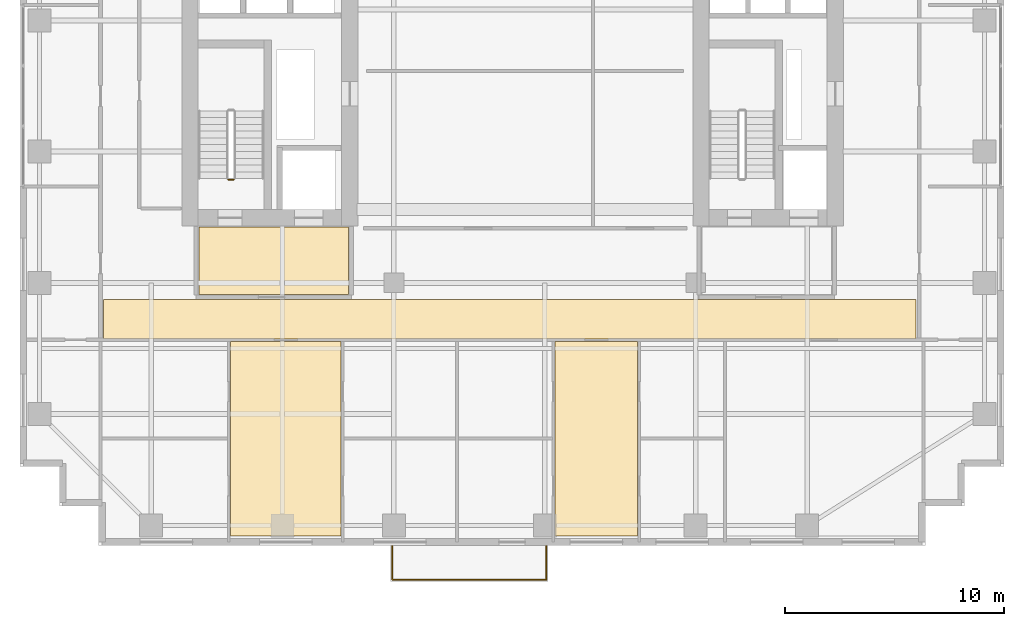
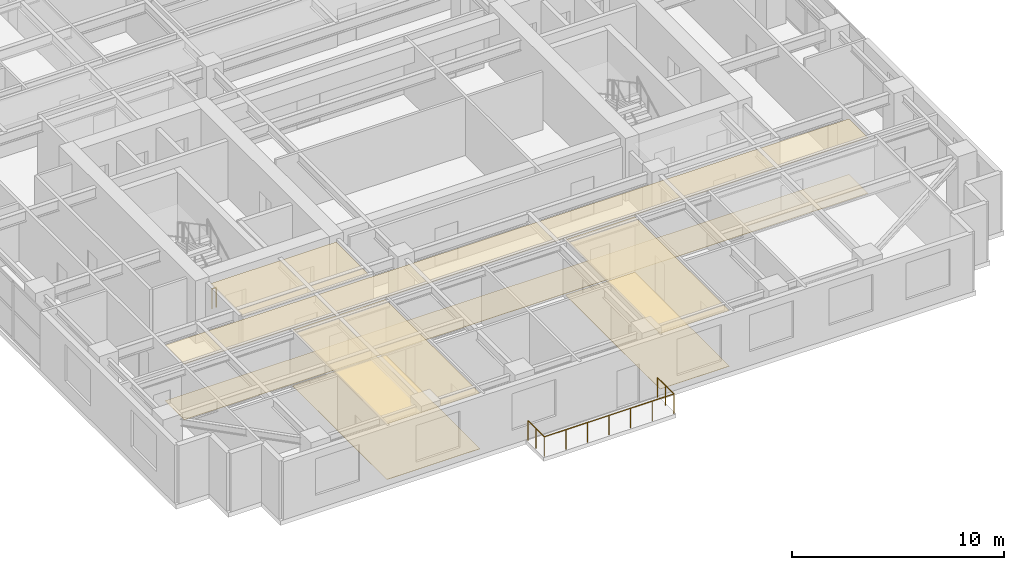
# One storey, part 13 of 16: 7 coverings, 2 railings.
"""IFC4 building model written with IfcOpenShell, lengths in metres."""

from ifc_helpers import new_model, si_unit, direction, frame, origin, origin_2d, place, context, subcontext, project, spatial, polyline, circle, outline, extrude, material, layer, layer_set, type_object, element, save


model = new_model("IFC4")

# Units and contexts
model_context = context("Model", 3, precision=1e-05, world=origin(), true_north=direction((0.0, 1.0)))
body_context = subcontext(model_context, "Body", "Model", "MODEL_VIEW")
ifc_project = project(units=[si_unit("LENGTHUNIT", "METRE"), si_unit("AREAUNIT", "SQUARE_METRE"), si_unit("VOLUMEUNIT", "CUBIC_METRE"), si_unit("PLANEANGLEUNIT", "RADIAN"), si_unit("MASSUNIT", "GRAM", prefix="KILO")], contexts=[model_context])

# Site, building, storey
site_placement = place(None, origin())
site = spatial("IfcSite", under=ifc_project, at=site_placement, CompositionType="ELEMENT")
building_placement = place(site_placement, origin())
building = spatial("IfcBuilding", under=site, at=building_placement, Name="Khoralis Quay Care Tower", CompositionType="ELEMENT")
storey_placement = place(building_placement, frame((0.0, 0.0, 137.699951171875)))
storey = spatial("IfcBuildingStorey", under=building, at=storey_placement, Name="L36", CompositionType="ELEMENT", Elevation=137.699951171875)

# Coverings
ifc_material_1 = material(Name="Mineral-fibre acoustic ceiling tile")
ifc_layer_1 = layer(ifc_material_1, 0.01806640625)
ifc_layer_set_1 = layer_set([ifc_layer_1], Name="Mineral-fibre acoustic ceiling tile")
covering_type_1 = type_object("IfcCoveringType", Name="COV-CEIL-AC18", PredefinedType="CEILING", material=ifc_layer_set_1)
covering_1_placement = place(storey_placement, frame((0.0, 0.0, 3.192138671875)))
element("IfcCovering", 1, at=covering_1_placement, inside=storey, type_object=covering_type_1, Name="Suspended Acoustic Ceiling SP-L36-FFLOB-W", PredefinedType="CEILING", context=body_context, shape_type="SweptSolid", body=[
    extrude(outline(polyline([(8.179931640625, 11.47998046875), (15.02001953125, 11.47998046875), (15.02001953125, 14.550048828125), (8.179931640625, 14.550048828125), (8.179931640625, 11.47998046875)])), origin(), (0.0, 0.0, 1.0), 0.017822265625),
])
covering_2_placement = place(storey_placement, frame((0.0, 0.0, 3.192138671875)))
element("IfcCovering", 2, at=covering_2_placement, inside=storey, type_object=covering_type_1, Name="Suspended Acoustic Ceiling SP-L36-CORR-S", PredefinedType="CEILING", context=body_context, shape_type="SweptSolid", body=[
    extrude(outline(polyline([(3.820068359375, 9.43994140625), (40.97998046875, 9.43994140625), (40.97998046875, 11.239990234375), (3.820068359375, 11.239990234375), (3.820068359375, 9.43994140625)])), origin(), (0.0, 0.0, 1.0), 0.017822265625),
])
covering_3_placement = place(storey_placement, frame((0.0, 0.0, 3.192138671875)))
element("IfcCovering", 3, at=covering_3_placement, inside=storey, type_object=covering_type_1, Name="Suspended Acoustic Ceiling SP-L36-SB-F2LIV0", PredefinedType="CEILING", context=body_context, shape_type="SweptSolid", body=[
    extrude(outline(polyline([(9.6279296875, 0.419921875), (14.68408203125, 0.419921875), (14.68408203125, 9.320068359375), (9.6279296875, 9.320068359375), (9.6279296875, 0.419921875)])), origin(), (0.0, 0.0, 1.0), 0.017822265625),
])
covering_4_placement = place(storey_placement, frame((0.0, 0.0, 3.192138671875)))
element("IfcCovering", 4, at=covering_4_placement, inside=storey, type_object=covering_type_1, Name="Suspended Acoustic Ceiling SP-L36-SB-F2LIV1", PredefinedType="CEILING", context=body_context, shape_type="SweptSolid", body=[
    extrude(outline(polyline([(24.47412109375, 0.419921875), (28.237060546875, 0.419921875), (28.237060546875, 9.320068359375), (24.47412109375, 9.320068359375), (24.47412109375, 0.419921875)])), origin(), (0.0, 0.0, 1.0), 0.017822265625),
])
ifc_material_2 = material(Name="Porcelain and non-slip vinyl flooring")
ifc_layer_2 = layer(ifc_material_2, 0.02001953125)
ifc_layer_set_2 = layer_set([ifc_layer_2], Name="Porcelain and non-slip vinyl flooring")
covering_type_2 = type_object("IfcCoveringType", Name="COV-FLOOR-20", PredefinedType="FLOORING", material=ifc_layer_set_2)
covering_5_placement = place(storey_placement, origin())
element("IfcCovering", 5, at=covering_5_placement, inside=storey, type_object=covering_type_2, Name="Resilient Healthcare Flooring SP-L36-CORR-S", PredefinedType="FLOORING", context=body_context, shape_type="SweptSolid", body=[
    extrude(outline(polyline([(3.820068359375, 9.43994140625), (40.97998046875, 9.43994140625), (40.97998046875, 11.239990234375), (3.820068359375, 11.239990234375), (3.820068359375, 9.43994140625)])), origin(), (0.0, 0.0, 1.0), 0.02001953125),
])
covering_6_placement = place(storey_placement, origin())
element("IfcCovering", 6, at=covering_6_placement, inside=storey, type_object=covering_type_2, Name="Resilient Healthcare Flooring SP-L36-SB-F2LIV0", PredefinedType="FLOORING", context=body_context, shape_type="SweptSolid", body=[
    extrude(outline(polyline([(9.6279296875, 0.419921875), (14.68408203125, 0.419921875), (14.68408203125, 9.320068359375), (9.6279296875, 9.320068359375), (9.6279296875, 0.419921875)])), origin(), (0.0, 0.0, 1.0), 0.02001953125),
])
covering_7_placement = place(storey_placement, origin())
element("IfcCovering", 7, at=covering_7_placement, inside=storey, type_object=covering_type_2, Name="Resilient Healthcare Flooring SP-L36-SB-F2LIV1", PredefinedType="FLOORING", context=body_context, shape_type="SweptSolid", body=[
    extrude(outline(polyline([(24.47412109375, 0.419921875), (28.237060546875, 0.419921875), (28.237060546875, 9.320068359375), (24.47412109375, 9.320068359375), (24.47412109375, 0.419921875)])), origin(), (0.0, 0.0, 1.0), 0.02001953125),
])

# Railings
ifc_material_3 = material(Name="Pale anodised aluminium", Category="aluminium")
railing_type_1 = type_object("IfcRailingType", Name="RL-BALUST-1150", PredefinedType="BALUSTRADE", material=ifc_material_3)
railing_1_placement = place(storey_placement, frame((17.030029296875, -0.0400390625, -0.0400390625)))
element("IfcRailing", 8, at=railing_1_placement, inside=storey, type_object=railing_type_1, Name="L36 Senior Loggia Balcony Guard", PredefinedType="BALUSTRADE", context=body_context, shape_type="SweptSolid", body=[
    extrude(circle(Radius=0.02392578125, at=origin_2d()), frame((0.0, 0.0, 1.1259765625), z_axis=(0.0, -1.0, 0.0), x_axis=(1.0, 0.0, 0.0)), (0.0, 0.0, 1.0), 1.530029296875),
    extrude(circle(Radius=0.02392578125, at=origin_2d()), frame((0.0, -1.530029296875, 1.1259765625), z_axis=(1.0, 0.0, 0.0), x_axis=(0.0, 1.0, 0.0)), (0.0, 0.0, 1.0), 7.0400390625),
    extrude(circle(Radius=0.02392578125, at=origin_2d()), frame((7.0400390625, -1.530029296875, 1.1259765625), z_axis=(0.0, 1.0, 0.0), x_axis=(-1.0, 0.0, 0.0)), (0.0, 0.0, 1.0), 1.530029296875),
    extrude(circle(Radius=0.02099609375, at=origin_2d()), origin(), (0.0, 0.0, 1.0), 1.101806640625),
    extrude(circle(Radius=0.02099609375, at=origin_2d()), frame((0.0, -0.76513671875, 0.0)), (0.0, 0.0, 1.0), 1.101806640625),
    extrude(circle(Radius=0.02099609375, at=origin_2d()), frame((0.0, -1.530029296875, 0.0)), (0.0, 0.0, 1.0), 1.101806640625),
    extrude(circle(Radius=0.02099609375, at=origin_2d()), frame((1.17333984375, -1.530029296875, 0.0)), (0.0, 0.0, 1.0), 1.101806640625),
    extrude(circle(Radius=0.02099609375, at=origin_2d()), frame((2.3466796875, -1.530029296875, 0.0)), (0.0, 0.0, 1.0), 1.101806640625),
    extrude(circle(Radius=0.02099609375, at=origin_2d()), frame((3.52001953125, -1.530029296875, 0.0)), (0.0, 0.0, 1.0), 1.101806640625),
    extrude(circle(Radius=0.02099609375, at=origin_2d()), frame((4.693359375, -1.530029296875, 0.0)), (0.0, 0.0, 1.0), 1.101806640625),
    extrude(circle(Radius=0.02099609375, at=origin_2d()), frame((5.86669921875, -1.530029296875, 0.0)), (0.0, 0.0, 1.0), 1.101806640625),
    extrude(circle(Radius=0.02099609375, at=origin_2d()), frame((7.0400390625, -1.530029296875, 0.0)), (0.0, 0.0, 1.0), 1.101806640625),
    extrude(circle(Radius=0.02099609375, at=origin_2d()), frame((7.0400390625, -0.76513671875, 0.0)), (0.0, 0.0, 1.0), 1.101806640625),
    extrude(circle(Radius=0.02099609375, at=origin_2d()), frame((7.0400390625, 0.0, 0.0)), (0.0, 0.0, 1.0), 1.101806640625),
])
ifc_material_4 = material(Name="Brushed stainless steel", Category="steel")
railing_type_2 = type_object("IfcRailingType", Name="RL-GUARD-1150", PredefinedType="GUARDRAIL", material=ifc_material_4)
railing_2_placement = place(storey_placement, frame((9.77001953125, 16.719970703125, 0.0)))
element("IfcRailing", 9, at=railing_2_placement, inside=storey, type_object=railing_type_2, Name="L36 ST-T1 stair guard 4", PredefinedType="GUARDRAIL", context=body_context, shape_type="SweptSolid", body=[
    extrude(circle(Radius=0.02392578125, at=origin_2d()), frame((0.0, 0.0, 1.1259765625), z_axis=(-1.0, 0.0, 0.0), x_axis=(0.0, -1.0, 0.0)), (0.0, 0.0, 1.0), 0.239990234375),
    extrude(circle(Radius=0.02099609375, at=origin_2d()), origin(), (0.0, 0.0, 1.0), 1.101806640625),
    extrude(circle(Radius=0.02099609375, at=origin_2d()), frame((-0.239990234375, 0.0, 0.0)), (0.0, 0.0, 1.0), 1.101806640625),
])

save(model, "model.ifc")
